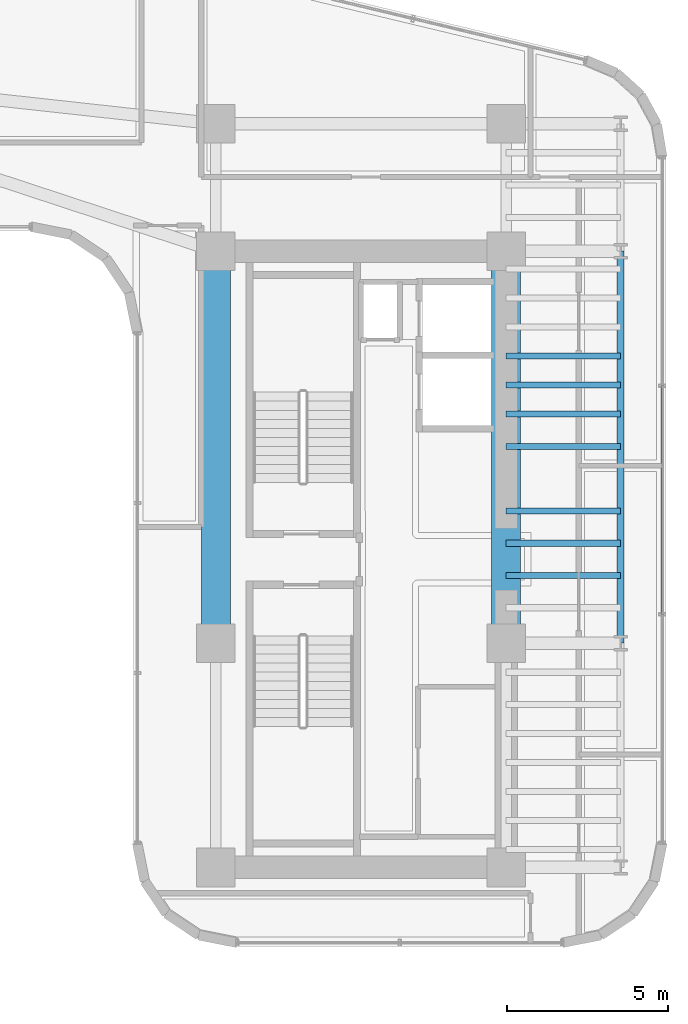
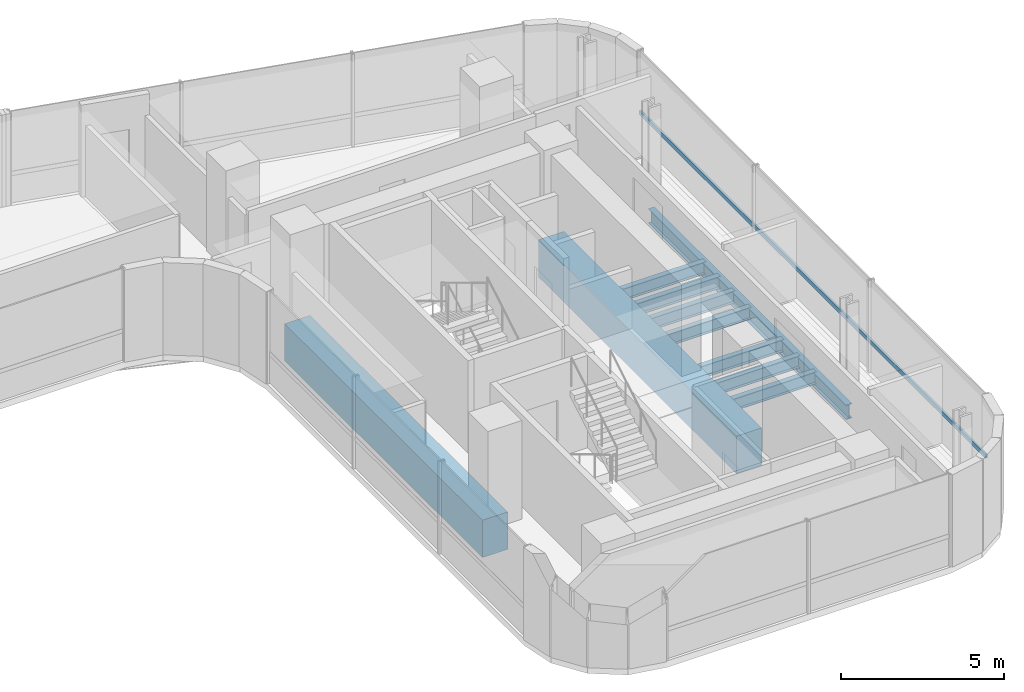
# One storey, part 17 of 35: 10 beams, 1 member, 1 element without a shape of its own.
"""IFC4 building model written with IfcOpenShell, lengths in metres."""

from ifc_helpers import new_model, si_unit, direction, frame, origin, origin_2d, place, context, subcontext, project, spatial, rectangle, hollow_rectangle, i_section, extrude, source, transform, mapped, material, material_profile, profile_set, type_object, element, aggregate, save


model = new_model("IFC4")

# Units and contexts
model_context = context("Model", 3, precision=1e-05, world=origin(), true_north=direction((0.0, 1.0)))
body_context = subcontext(model_context, "Body", "Model", "MODEL_VIEW")
ifc_project = project(units=[si_unit("LENGTHUNIT", "METRE"), si_unit("AREAUNIT", "SQUARE_METRE"), si_unit("VOLUMEUNIT", "CUBIC_METRE"), si_unit("PLANEANGLEUNIT", "RADIAN"), si_unit("MASSUNIT", "GRAM", prefix="KILO")], contexts=[model_context])

# Site, building, storey
site_placement = place(None, origin())
site = spatial("IfcSite", under=ifc_project, at=site_placement, CompositionType="ELEMENT")
building_placement = place(site_placement, origin())
building = spatial("IfcBuilding", under=site, at=building_placement, Name="Valdorenza Pilgrim Sanctuary Tower", CompositionType="ELEMENT")
storey_placement = place(building_placement, frame((0.0, 0.0, 150.10009765625)))
storey = spatial("IfcBuildingStorey", under=building, at=storey_placement, Name="L38", CompositionType="ELEMENT", Elevation=150.10009765625)

# Beams
ifc_material_1 = material(Name="Concrete C60/75", Category="concrete")
ifc_material_profile_1 = material_profile(ifc_material_1, rectangle(XDim=0.89990234375, YDim=1.39990234375, at=origin_2d()), Name="RC 1400x900")
ifc_profile_set_1 = profile_set([ifc_material_profile_1], Name="Concrete C60/75")
beam_type_1 = type_object("IfcBeamType", Name="STR-BM-LNT-1400", PredefinedType="LINTEL", material=ifc_profile_set_1)
shared_shape_1 = source(origin(), body_context, "Body", "SweptSolid", [
    extrude(rectangle(XDim=0.89990234375, YDim=1.39990234375, at=origin_2d()), origin(), (0.0, 0.0, 1.0), 12.150146484375),
])
for number, where, z_axis, x_axis, name in (
    (1, (15.85009765625, -2.60009765625, -0.739990234375), (0.0, 1.0, 0.0), (-1.0, 0.0, 0.0), "L38 Core B West Coupling Lintel Girder"),
    (2, (24.85009765625, -2.60009765625, -0.739990234375), (0.0, 1.0, 0.0), (-1.0, 0.0, 0.0), "L38 Core B East Coupling Lintel Girder"),
):
    element("IfcBeam", number, at=place(storey_placement, frame(where, z_axis=z_axis, x_axis=x_axis)), inside=storey, type_object=beam_type_1, Name=name, PredefinedType="LINTEL", context=body_context, shape_type="MappedRepresentation", body=[
        mapped(shared_shape_1, transform((0.0, 0.0, 0.0), x_axis=(1.0, 0.0, 0.0), y_axis=(0.0, 1.0, 0.0), z_axis=(0.0, 0.0, 1.0), scale=1.0)),
    ])
ifc_material_2 = material(Name="Steel ASTM A992 Grade 50", Category="steel")
ifc_material_profile_2 = material_profile(ifc_material_2, i_section(OverallWidth=0.214111328125, OverallDepth=0.549072265625, WebThickness=0.0146484375, FlangeThickness=0.023681640625, at=origin_2d()), Name="W21X93")
ifc_profile_set_2 = profile_set([ifc_material_profile_2], Name="Steel ASTM A992 Grade 50")
beam_type_2 = type_object("IfcBeamType", Name="STR-BM-SPN-W21A", PredefinedType="SPANDREL", material=ifc_profile_set_2)
shared_shape_2 = source(origin(), body_context, "Body", "SweptSolid", [
    extrude(i_section(OverallWidth=0.214111328125, OverallDepth=0.549072265625, WebThickness=0.0146484375, FlangeThickness=0.023681640625, at=origin_2d()), origin(), (0.0, 0.0, 1.0), 12.150146484375),
])
beam_placement = place(storey_placement, frame((28.39990234375, -2.60009765625, -0.5146484375), z_axis=(0.0, 1.0, 0.0), x_axis=(-1.0, 0.0, 0.0)))
element("IfcBeam", 3, at=beam_placement, inside=storey, type_object=beam_type_2, Name="L38 Spandrel Beam WB-E-M0N1", PredefinedType="SPANDREL", context=body_context, shape_type="MappedRepresentation", body=[
    mapped(shared_shape_2, transform((0.0, 0.0, 0.0), x_axis=(1.0, 0.0, 0.0), y_axis=(0.0, 1.0, 0.0), z_axis=(0.0, 0.0, 1.0), scale=1.0)),
])
ifc_material_profile_3 = material_profile(ifc_material_2, i_section(OverallWidth=0.19091796875, OverallDepth=0.45703125, WebThickness=0.009033203125, FlangeThickness=0.014404296875, at=origin_2d()), Name="W18X50")
ifc_profile_set_3 = profile_set([ifc_material_profile_3], Name="Steel ASTM A992 Grade 50")
beam_type_3 = type_object("IfcBeamType", Name="STR-BM-JST-W18B", PredefinedType="JOIST", material=ifc_profile_set_3)
shared_shape_3 = source(origin(), body_context, "Body", "SweptSolid", [
    extrude(i_section(OverallWidth=0.19091796875, OverallDepth=0.45703125, WebThickness=0.009033203125, FlangeThickness=0.014404296875, at=origin_2d()), origin(), (0.0, 0.0, 1.0), 3.5498046875),
])
for number, where, z_axis, x_axis, name in (
    (4, (24.85009765625, -0.5, -0.468505859375), (1.0, 0.0, 0.0), (0.0, 1.0, 0.0), "L38 Composite Floor Joist JST-WB-9"),
    (5, (24.85009765625, 0.5, -0.468505859375), (1.0, 0.0, 0.0), (0.0, 1.0, 0.0), "L38 Composite Floor Joist JST-WB-10"),
    (6, (24.85009765625, 1.5, -0.468505859375), (1.0, 0.0, 0.0), (0.0, 1.0, 0.0), "L38 Composite Floor Joist JST-WB-11"),
    (7, (24.85009765625, 3.5, -0.468505859375), (1.0, 0.0, 0.0), (0.0, 1.0, 0.0), "L38 Composite Floor Joist JST-WB-12"),
    (8, (24.85009765625, 4.5, -0.468505859375), (1.0, 0.0, 0.0), (0.0, 1.0, 0.0), "L38 Composite Floor Joist JST-WB-13"),
    (9, (24.85009765625, 5.39990234375, -0.468505859375), (1.0, 0.0, 0.0), (0.0, 1.0, 0.0), "L38 Composite Floor Joist JST-WB-14"),
    (10, (24.85009765625, 6.300048828125, -0.468505859375), (1.0, 0.0, 0.0), (0.0, 1.0, 0.0), "L38 Composite Floor Joist JST-WB-15"),
):
    element("IfcBeam", number, at=place(storey_placement, frame(where, z_axis=z_axis, x_axis=x_axis)), inside=storey, type_object=beam_type_3, Name=name, PredefinedType="JOIST", context=body_context, shape_type="MappedRepresentation", body=[
        mapped(shared_shape_3, transform((0.0, 0.0, 0.0), x_axis=(1.0, 0.0, 0.0), y_axis=(0.0, 1.0, 0.0), z_axis=(0.0, 0.0, 1.0), scale=1.0)),
    ])

# Curtain wall, member
ifc_material_3 = material(Name="Curtain-wall IGU glazing", Category="glass")
curtain_wall_type = type_object("IfcCurtainWallType", Name="CW-SYS-03", PredefinedType="NOTDEFINED", material=ifc_material_3)
curtain_wall_placement = place(storey_placement, origin())
curtain_wall = element("IfcCurtainWall", 11, at=curtain_wall_placement, inside=storey, type_object=curtain_wall_type, Name="L38 Curtain Wall CW-L38-1-21", PredefinedType="NOTDEFINED")
ifc_material_4 = material(Name="Anodised aluminium AW-6060", Category="aluminium")
ifc_material_profile_4 = material_profile(ifc_material_4, hollow_rectangle(XDim=0.074951171875, YDim=0.159912109375, WallThickness=0.00390625, at=origin_2d()), Name="ALU-T 160x75x4")
ifc_profile_set_4 = profile_set([ifc_material_profile_4], Name="Anodised aluminium AW-6060")
member_type = type_object("IfcMemberType", Name="CW-TRN-03", PredefinedType="USERDEFINED", material=ifc_profile_set_4)
shared_shape_4 = source(origin(), body_context, "Body", "SweptSolid", [
    extrude(hollow_rectangle(XDim=0.074951171875, YDim=0.159912109375, WallThickness=0.00390625, at=origin_2d()), origin(), (0.0, 0.0, 1.0), 21.255615234375),
])
member_placement = place(storey_placement, frame((29.68994140625, 12.46630859375, 1.119873046875), z_axis=(0.0, -1.0, 0.0), x_axis=(1.0, 0.0, 0.0)))
member = element("IfcMember", 12, at=member_placement, type_object=member_type, Name="CW-L38-1-21 Transom 1", ObjectType="TRANSOM", PredefinedType="USERDEFINED", context=body_context, shape_type="MappedRepresentation", body=[
    mapped(shared_shape_4, transform((0.0, 0.0, 0.0), x_axis=(1.0, 0.0, 0.0), y_axis=(0.0, 1.0, 0.0), z_axis=(0.0, 0.0, 1.0), scale=1.0)),
])
aggregate(curtain_wall, [member])

save(model, "model.ifc")
